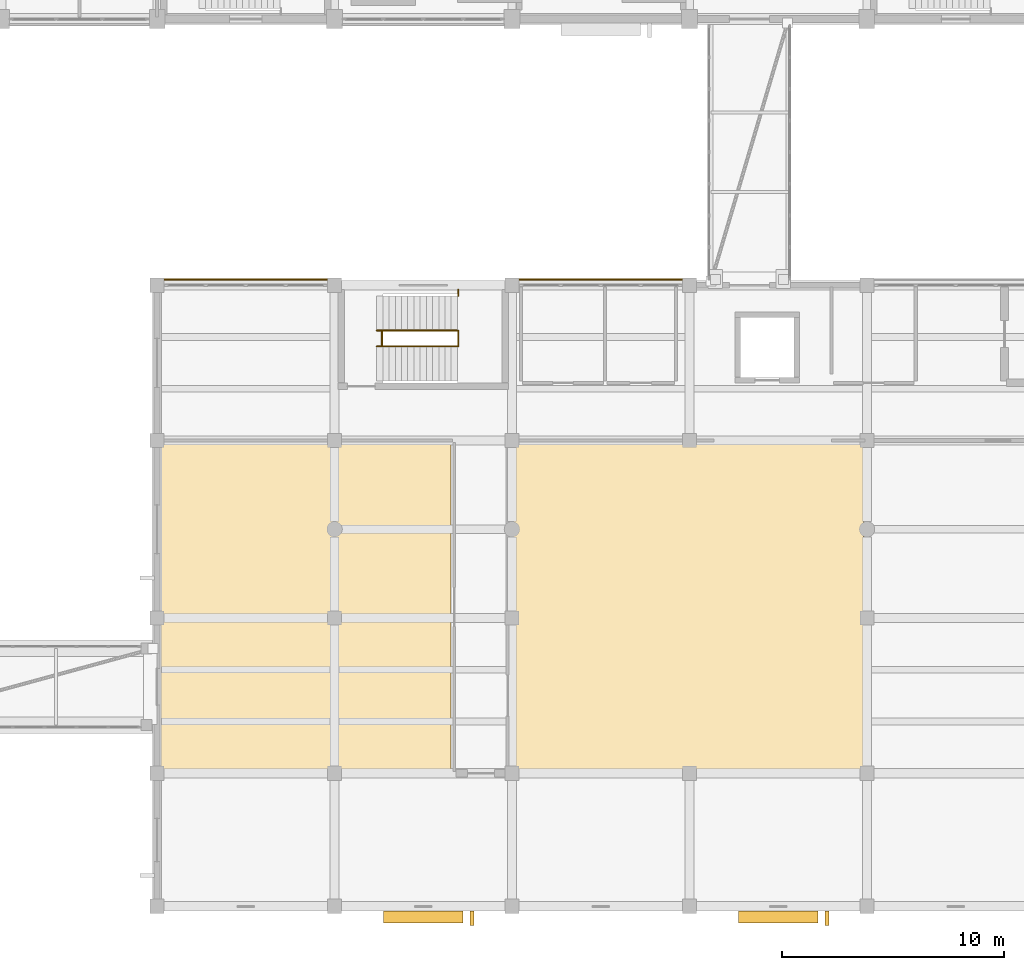
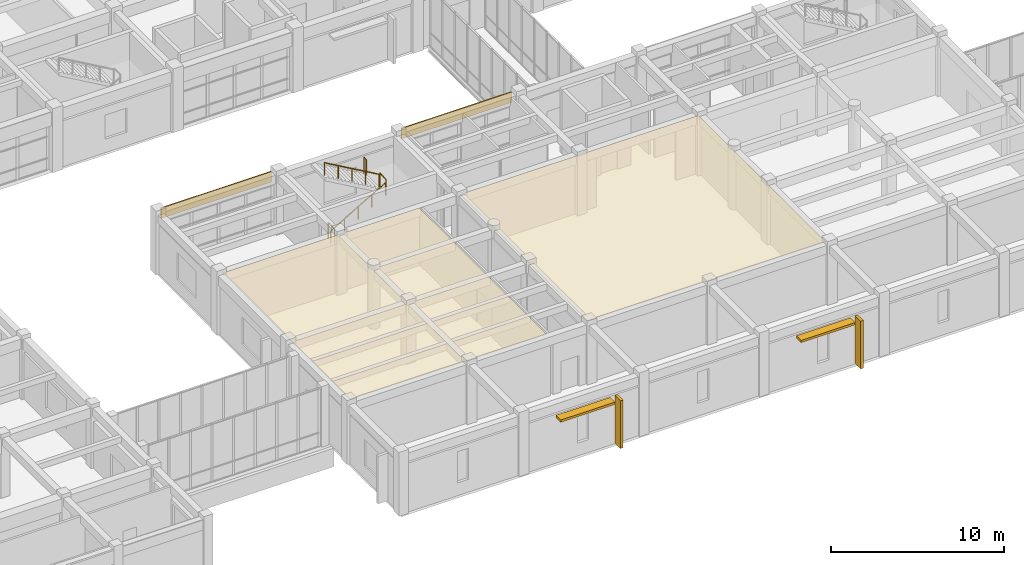
# One storey, part 65 of 72: 5 railings, 4 coverings, 4 shading devices.
"""IFC4 building model written with IfcOpenShell, lengths in metres."""

from ifc_helpers import new_model, si_unit, direction, frame, origin, origin_2d, place, context, subcontext, project, spatial, polyline, rectangle, circle, outline, extrude, material, layer, layer_set, type_object, element, save


model = new_model("IFC4")

# Units and contexts
model_context = context("Model", 3, precision=1e-05, world=origin(), true_north=direction((0.0, 1.0)))
body_context = subcontext(model_context, "Body", "Model", "MODEL_VIEW")
ifc_project = project(units=[si_unit("LENGTHUNIT", "METRE"), si_unit("AREAUNIT", "SQUARE_METRE"), si_unit("VOLUMEUNIT", "CUBIC_METRE"), si_unit("PLANEANGLEUNIT", "RADIAN"), si_unit("MASSUNIT", "GRAM", prefix="KILO")], contexts=[model_context])

# Site, building, storey
site_placement = place(None, origin())
site = spatial("IfcSite", under=ifc_project, at=site_placement, CompositionType="ELEMENT")
building_placement = place(site_placement, origin())
building = spatial("IfcBuilding", under=site, at=building_placement, Name="Naurynzar Civic Courthouse", CompositionType="ELEMENT")
storey_placement = place(building_placement, frame((0.0, 0.0, 9.89990234375)))
storey = spatial("IfcBuildingStorey", under=building, at=storey_placement, Name="L03", CompositionType="ELEMENT", Elevation=9.89990234375)

# Coverings
ifc_material_1 = material(Name="Mineral Fibre Acoustic Ceiling")
ifc_layer_1 = layer(ifc_material_1, 0.030029296875)
ifc_layer_set_1 = layer_set([ifc_layer_1], Name="CEIL-MINERAL-30")
covering_type_1 = type_object("IfcCoveringType", Name="CEIL-MINERAL-30", PredefinedType="CEILING", material=ifc_layer_set_1)
covering_1_placement = place(storey_placement, frame((0.0, 0.0, 4.114990234375)))
element("IfcCovering", 1, at=covering_1_placement, inside=storey, type_object=covering_type_1, Name="Acoustic suspended ceiling Law Library Reading Room West L06", PredefinedType="CEILING", context=body_context, shape_type="SweptSolid", body=[
    extrude(outline(polyline([(82.239990234375, 10.159912109375), (69.159912109375, 10.159912109375), (69.159912109375, 24.840087890625), (82.239990234375, 24.840087890625), (82.239990234375, 10.159912109375)])), origin(), (0.0, 0.0, 1.0), 0.030029296875),
])
covering_2_placement = place(storey_placement, frame((0.0, 0.0, 4.114990234375)))
element("IfcCovering", 2, at=covering_2_placement, inside=storey, type_object=covering_type_1, Name="Acoustic suspended ceiling Law Library Reading Room L06", PredefinedType="CEILING", context=body_context, shape_type="SweptSolid", body=[
    extrude(outline(polyline([(100.840087890625, 10.159912109375), (84.9599609375, 10.159912109375), (84.9599609375, 24.840087890625), (100.840087890625, 24.840087890625), (100.840087890625, 10.159912109375)])), origin(), (0.0, 0.0, 1.0), 0.030029296875),
])
ifc_material_2 = material(Name="Precast concrete C40/50", Category="concrete")
ifc_layer_2 = layer(ifc_material_2, 0.080078125)
ifc_layer_set_2 = layer_set([ifc_layer_2], Name="COV-CLAD-PRECAST-80")
covering_type_2 = type_object("IfcCoveringType", Name="COV-CLAD-PRECAST-80", PredefinedType="CLADDING", material=ifc_layer_set_2)
for number, where, z_axis, x_axis, name in (
    (3, (73.0, 32.2548828125, 3.43994140625), (0.0, 0.0, 1.0), (1.0, 0.0, 0.0), "V3 precast spandrel cladding 67"),
    (4, (89.0, 32.2548828125, 3.43994140625), (0.0, 0.0, 1.0), (1.0, 0.0, 0.0), "V3 precast spandrel cladding 68"),
):
    element("IfcCovering", number, at=place(storey_placement, frame(where, z_axis=z_axis, x_axis=x_axis)), inside=storey, type_object=covering_type_2, Name=name, PredefinedType="CLADDING", context=body_context, shape_type="SweptSolid", body=[
        extrude(rectangle(XDim=7.35009765625, YDim=0.080078125, at=origin_2d()), origin(), (0.0, 0.0, 1.0), 0.719970703125),
    ])

# Railings
ifc_material_3 = material(Name="Brushed Stainless Steel 304", Category="steel")
railing_type_1 = type_object("IfcRailingType", Name="RAIL-BAL-1100", PredefinedType="BALUSTRADE", material=ifc_material_3)
for number, where, name in (
    (5, (79.139892578125, 29.239990234375, 0.0), "Stair ST-V3A floor well slot guard L03"),
    (6, (82.580078125, 29.239990234375, 2.25), "Stair ST-V3A-L03 half-landing well guard"),
):
    element("IfcRailing", number, at=place(storey_placement, frame(where)), inside=storey, type_object=railing_type_1, Name=name, PredefinedType="BALUSTRADE", context=body_context, shape_type="SweptSolid", body=[
        extrude(circle(Radius=0.02392578125, at=origin_2d()), frame((0.0, 0.0, 1.09619140625), z_axis=(0.0, 1.0, 0.0), x_axis=(-1.0, 0.0, 0.0)), (0.0, 0.0, 1.0), 0.719970703125),
        extrude(circle(Radius=0.02099609375, at=origin_2d()), origin(), (0.0, 0.0, 1.0), 1.072021484375),
        extrude(circle(Radius=0.02099609375, at=origin_2d()), frame((0.0, 0.719970703125, 0.0)), (0.0, 0.0, 1.0), 1.072021484375),
    ])
railing_1_placement = place(storey_placement, frame((82.580078125, 31.52001953125, 2.25)))
element("IfcRailing", 7, at=railing_1_placement, inside=storey, type_object=railing_type_1, Name="Stair ST-V3A-L03 half-landing north slot guard", PredefinedType="BALUSTRADE", context=body_context, shape_type="SweptSolid", body=[
    extrude(circle(Radius=0.02392578125, at=origin_2d()), frame((0.0, 0.0, 1.09619140625), z_axis=(0.0, 1.0, 0.0), x_axis=(-1.0, 0.0, 0.0)), (0.0, 0.0, 1.0), 0.284912109375),
    extrude(circle(Radius=0.02099609375, at=origin_2d()), origin(), (0.0, 0.0, 1.0), 1.072021484375),
    extrude(circle(Radius=0.02099609375, at=origin_2d()), frame((0.0, 0.284912109375, 0.0)), (0.0, 0.0, 1.0), 1.072021484375),
])
ifc_material_4 = material(Name="Brushed Stainless Steel 304", Category="steel")
railing_type_2 = type_object("IfcRailingType", Name="RAIL-HR-900", PredefinedType="HANDRAIL", material=ifc_material_4)
railing_2_placement = place(storey_placement, frame((78.89990234375, 29.239990234375, 0.160888671875)))
element("IfcRailing", 8, at=railing_2_placement, inside=storey, type_object=railing_type_2, Name="Stair ST-V3A-L03 flight 1 handrail", PredefinedType="HANDRAIL", context=body_context, shape_type="SweptSolid", body=[
    extrude(circle(Radius=0.02392578125, at=origin_2d()), frame((0.0, 0.0, 0.8759765625), z_axis=(0.867314486057, 0.0, 0.497760567216), x_axis=(0.0, 1.0, 0.0)), (0.0, 0.0, 1.0), 4.197021484375),
    extrude(circle(Radius=0.02099609375, at=origin_2d()), origin(), (0.0, 0.0, 1.0), 0.851806640625),
    extrude(circle(Radius=0.02099609375, at=origin_2d()), frame((0.91015625, 0.0, 0.522216796875)), (0.0, 0.0, 1.0), 0.851806640625),
    extrude(circle(Radius=0.02099609375, at=origin_2d()), frame((1.820068359375, 0.0, 1.04443359375)), (0.0, 0.0, 1.0), 0.851806640625),
    extrude(circle(Radius=0.02099609375, at=origin_2d()), frame((2.72998046875, 0.0, 1.56689453125)), (0.0, 0.0, 1.0), 0.851806640625),
    extrude(circle(Radius=0.02099609375, at=origin_2d()), frame((3.64013671875, 0.0, 2.089111328125)), (0.0, 0.0, 1.0), 0.851806640625),
])
railing_3_placement = place(storey_placement, frame((82.5400390625, 29.9599609375, 2.410888671875)))
element("IfcRailing", 9, at=railing_3_placement, inside=storey, type_object=railing_type_2, Name="Stair ST-V3A-L03 flight 2 handrail", PredefinedType="HANDRAIL", context=body_context, shape_type="SweptSolid", body=[
    extrude(circle(Radius=0.02392578125, at=origin_2d()), frame((0.0, 0.0, 0.8759765625), z_axis=(-0.867314486057, 0.0, 0.497760567216), x_axis=(0.0, -1.0, 0.0)), (0.0, 0.0, 1.0), 4.197021484375),
    extrude(circle(Radius=0.02099609375, at=origin_2d()), origin(), (0.0, 0.0, 1.0), 0.851806640625),
    extrude(circle(Radius=0.02099609375, at=origin_2d()), frame((-0.91015625, 0.0, 0.522216796875)), (0.0, 0.0, 1.0), 0.851806640625),
    extrude(circle(Radius=0.02099609375, at=origin_2d()), frame((-1.820068359375, 0.0, 1.04443359375)), (0.0, 0.0, 1.0), 0.851806640625),
    extrude(circle(Radius=0.02099609375, at=origin_2d()), frame((-2.72998046875, 0.0, 1.56689453125)), (0.0, 0.0, 1.0), 0.851806640625),
    extrude(circle(Radius=0.02099609375, at=origin_2d()), frame((-3.64013671875, 0.0, 2.089111328125)), (0.0, 0.0, 1.0), 0.851806640625),
])

# Shading devices
ifc_material_5 = material(Name="Precast concrete C40/50", Category="concrete")
shading_device_type_1 = type_object("IfcShadingDeviceType", Name="SHD-FIN-V650", PredefinedType="JALOUSIE", material=ifc_material_5)
for number, where, z_axis, x_axis, name in (
    (10, (99.205078125, 3.469970703125, 0.0400390625), (0.0, 0.0, 1.0), (-1.0, 0.0, 0.0), "V3 vertical brise-soleil fin 44"),
    (11, (83.205078125, 3.469970703125, 0.0400390625), (0.0, 0.0, 1.0), (-1.0, 0.0, 0.0), "V3 vertical brise-soleil fin 45"),
):
    element("IfcShadingDevice", number, at=place(storey_placement, frame(where, z_axis=z_axis, x_axis=x_axis)), inside=storey, type_object=shading_device_type_1, Name=name, PredefinedType="JALOUSIE", context=body_context, shape_type="SweptSolid", body=[
        extrude(rectangle(XDim=0.179931640625, YDim=0.64990234375, at=origin_2d()), origin(), (0.0, 0.0, 1.0), 3.360107421875),
    ])
ifc_material_6 = material(Name="Precast concrete C40/50", Category="concrete")
shading_device_type_2 = type_object("IfcShadingDeviceType", Name="SHD-LOUV-H550", PredefinedType="SHUTTER", material=ifc_material_6)
for number, where, z_axis, x_axis, name in (
    (12, (97.0, 3.52001953125, 3.2001953125), (0.0, 0.0, 1.0), (-1.0, 0.0, 0.0), "V3 horizontal solar sun-breaker 44"),
    (13, (81.0, 3.52001953125, 3.2001953125), (0.0, 0.0, 1.0), (-1.0, 0.0, 0.0), "V3 horizontal solar sun-breaker 45"),
):
    element("IfcShadingDevice", number, at=place(storey_placement, frame(where, z_axis=z_axis, x_axis=x_axis)), inside=storey, type_object=shading_device_type_2, Name=name, PredefinedType="SHUTTER", context=body_context, shape_type="SweptSolid", body=[
        extrude(rectangle(XDim=3.60009765625, YDim=0.550048828125, at=origin_2d()), origin(), (0.0, 0.0, 1.0), 0.159912109375),
    ])

save(model, "model.ifc")
